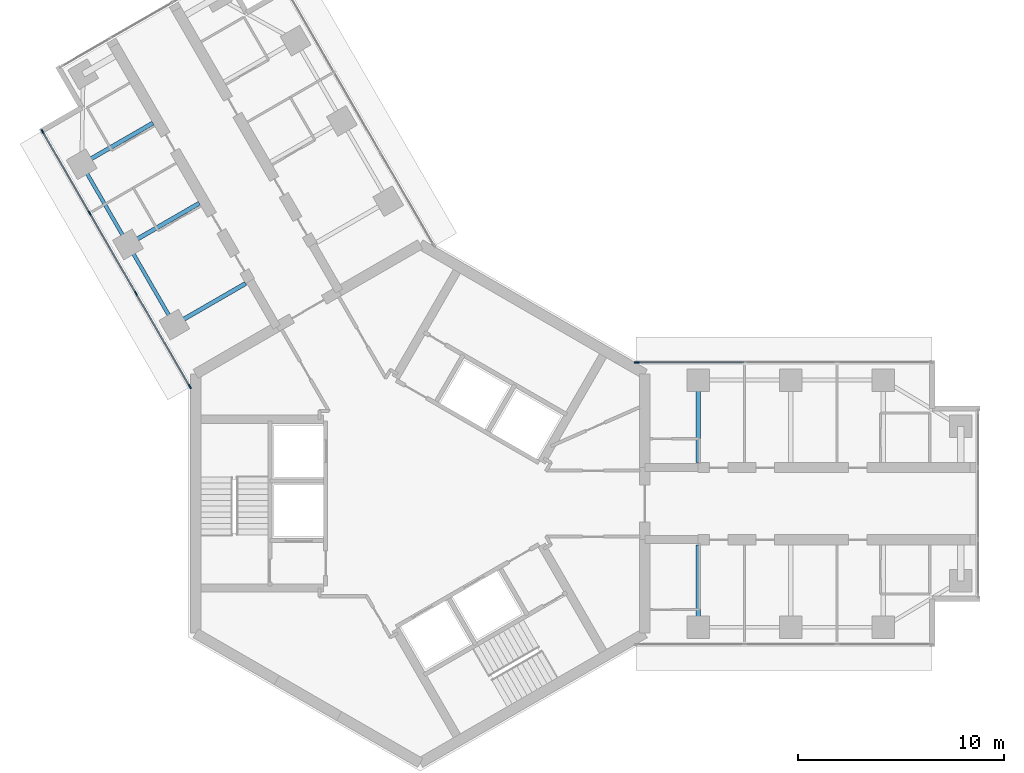
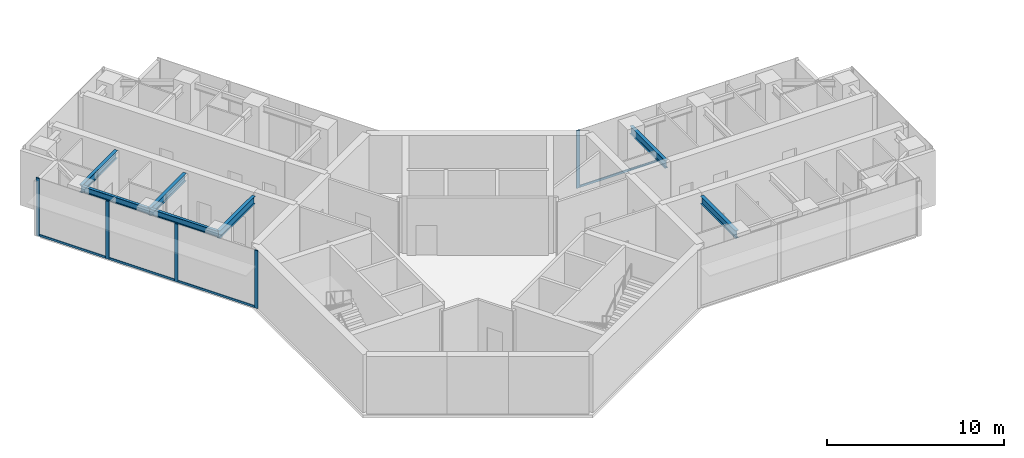
# One storey, part 5 of 18: 9 members, 7 beams, 2 elements without a shape of their own.
"""IFC4 building model written with IfcOpenShell, lengths in metres."""

from ifc_helpers import new_model, si_unit, direction, frame, origin, origin_2d, place, context, subcontext, project, spatial, rectangle, i_section, extrude, material, material_profile, profile_set, type_object, element, aggregate, save


model = new_model("IFC4")

# Units and contexts
model_context = context("Model", 3, precision=1e-05, world=origin(), true_north=direction((0.0, 1.0)))
body_context = subcontext(model_context, "Body", "Model", "MODEL_VIEW")
ifc_project = project(units=[si_unit("LENGTHUNIT", "METRE"), si_unit("AREAUNIT", "SQUARE_METRE"), si_unit("VOLUMEUNIT", "CUBIC_METRE"), si_unit("PLANEANGLEUNIT", "RADIAN"), si_unit("MASSUNIT", "GRAM", prefix="KILO")], contexts=[model_context])

# Site, building, storey
site_placement = place(None, origin())
site = spatial("IfcSite", under=ifc_project, at=site_placement, CompositionType="ELEMENT")
building_placement = place(site_placement, origin())
building = spatial("IfcBuilding", under=site, at=building_placement, Name="Upepo Twin Towers", CompositionType="ELEMENT")
storey_placement = place(building_placement, frame((0.0, 0.0, 226.5)))
storey = spatial("IfcBuildingStorey", under=building, at=storey_placement, Name="L55", CompositionType="ELEMENT", Elevation=226.5)

# Beams
ifc_material_1 = material(Name="Steel S355", Category="steel")
ifc_material_profile_1 = material_profile(ifc_material_1, i_section(OverallWidth=0.177978515625, OverallDepth=0.406494140625, WebThickness=0.0078125, FlangeThickness=0.0126953125, FilletRadius=0.01025390625, at=origin_2d()), Name="UB 406x178x60")
ifc_profile_set_1 = profile_set([ifc_material_profile_1], Name="Steel S355")
beam_type_1 = type_object("IfcBeamType", Name="Beam UB 406x178x60", PredefinedType="BEAM", material=ifc_profile_set_1)
beam_1_placement = place(storey_placement, frame((-11.946044921875, 8.69140625, 3.5966796875), z_axis=(-0.500013631625, 0.866017533419, 0.0), x_axis=(-0.866017533419, -0.500013631625, 0.0)))
element("IfcBeam", 1, at=beam_1_placement, inside=storey, type_object=beam_type_1, Name="T1 edge beam BL 13.5-18.0", PredefinedType="BEAM", context=body_context, shape_type="SweptSolid", body=[
    extrude(i_section(OverallWidth=0.177978515625, OverallDepth=0.406494140625, WebThickness=0.0078125, FlangeThickness=0.0126953125, FilletRadius=0.01025390625, at=origin_2d()), origin(), (0.0, 0.0, 1.0), 4.499755859375),
])
beam_2_placement = place(storey_placement, frame((-14.196044921875, 12.58837890625, 3.5966796875), z_axis=(-0.499990139034, 0.866031096941, 0.0), x_axis=(-0.866031096941, -0.499990139034, 0.0)))
element("IfcBeam", 2, at=beam_2_placement, inside=storey, type_object=beam_type_1, Name="T1 edge beam BL 18.0-22.5", PredefinedType="BEAM", context=body_context, shape_type="SweptSolid", body=[
    extrude(i_section(OverallWidth=0.177978515625, OverallDepth=0.406494140625, WebThickness=0.0078125, FlangeThickness=0.0126953125, FilletRadius=0.01025390625, at=origin_2d()), origin(), (0.0, 0.0, 1.0), 4.5),
])
ifc_material_2 = material(Name="Steel S355", Category="steel")
ifc_material_profile_2 = material_profile(ifc_material_2, i_section(OverallWidth=0.209228515625, OverallDepth=0.533203125, WebThickness=0.010009765625, FlangeThickness=0.015625, FilletRadius=0.0126953125, at=origin_2d()), Name="UB 533x210x92")
ifc_profile_set_2 = profile_set([ifc_material_profile_2], Name="Steel S355")
beam_type_2 = type_object("IfcBeamType", Name="Beam UB 533x210x92", PredefinedType="BEAM", material=ifc_profile_set_2)
for number, where, z_axis, x_axis, name in (
    (3, (13.5, 6.0, 3.533447265625), (0.0, -1.0, 0.0), (1.0, 0.0, 0.0), "T1 girder AL at 13.5"),
    (4, (13.5, -6.0, 3.533447265625), (0.0, 1.0, 0.0), (-1.0, 0.0, 0.0), "T1 girder AR at 13.5"),
    (5, (-11.946044921875, 8.69140625, 3.533447265625), (0.866026010844, 0.49999894854, 0.0), (-0.49999894854, 0.866026010844, 0.0), "T1 girder BL at 13.5"),
    (6, (-14.196044921875, 12.58837890625, 3.533447265625), (0.866026010844, 0.49999894854, 0.0), (-0.49999894854, 0.866026010844, 0.0), "T1 girder BL at 18.0"),
    (7, (-16.446044921875, 16.485595703125, 3.533447265625), (0.866026010844, 0.49999894854, 0.0), (-0.49999894854, 0.866026010844, 0.0), "T1 girder BL at 22.5"),
):
    element("IfcBeam", number, at=place(storey_placement, frame(where, z_axis=z_axis, x_axis=x_axis)), inside=storey, type_object=beam_type_2, Name=name, PredefinedType="BEAM", context=body_context, shape_type="SweptSolid", body=[
        extrude(i_section(OverallWidth=0.209228515625, OverallDepth=0.533203125, WebThickness=0.010009765625, FlangeThickness=0.015625, FilletRadius=0.0126953125, at=origin_2d()), origin(), (0.0, 0.0, 1.0), 4.0),
    ])

# Curtain wall, member
ifc_material_3 = material(Name="Aluminium and fritted glass", Category="aluminium")
curtain_wall_type = type_object("IfcCurtainWallType", Name="Tower curtain wall TW3, fritted glass", PredefinedType="NOTDEFINED", material=ifc_material_3)
curtain_wall_1_placement = place(storey_placement, origin())
curtain_wall_1 = element("IfcCurtainWall", 8, at=curtain_wall_1_placement, inside=storey, type_object=curtain_wall_type, Name="T1 L55 wing A flank L curtain wall", PredefinedType="NOTDEFINED")
ifc_material_4 = material(Name="Aluminium mullion", Category="aluminium")
ifc_material_profile_3 = material_profile(ifc_material_4, rectangle(XDim=0.06494140625, YDim=0.22509765625, at=origin_2d()), Name="MULLION 65x225")
ifc_profile_set_3 = profile_set([ifc_material_profile_3], Name="Aluminium mullion")
member_type_1 = type_object("IfcMemberType", Name="Mullion 65x225 TW3", PredefinedType="MULLION", material=ifc_profile_set_3)
member_1_placement = place(storey_placement, frame((10.51953125, 6.85009765625, 0.0), z_axis=(0.0, 0.0, 1.0), x_axis=(0.0, 1.0, 0.0)))
member_1 = element("IfcMember", 9, at=member_1_placement, type_object=member_type_1, Name="T1 L55 wing A flank L curtain wall mullion 1", PredefinedType="MULLION", context=body_context, shape_type="SweptSolid", body=[
    extrude(rectangle(XDim=0.06494140625, YDim=0.22509765625, at=origin_2d()), origin(), (0.0, 0.0, 1.0), 4.0),
])

# Curtain wall, members
curtain_wall_2_placement = place(storey_placement, origin())
curtain_wall_2 = element("IfcCurtainWall", 10, at=curtain_wall_2_placement, inside=storey, type_object=curtain_wall_type, Name="T1 L55 wing B flank L curtain wall", PredefinedType="NOTDEFINED")
member_2_placement = place(storey_placement, frame((-11.192138671875, 5.685302734375, 0.0), z_axis=(0.0, 0.0, 1.0), x_axis=(-0.866025388469, -0.500000026527, 0.0)))
member_2 = element("IfcMember", 11, at=member_2_placement, type_object=member_type_1, Name="T1 L55 wing B flank L curtain wall mullion 1", PredefinedType="MULLION", context=body_context, shape_type="SweptSolid", body=[
    extrude(rectangle(XDim=0.06494140625, YDim=0.22509765625, at=origin_2d()), origin(), (0.0, 0.0, 1.0), 4.0),
])
member_3_placement = place(storey_placement, frame((-13.807373046875, 10.21484375, 0.0), z_axis=(0.0, 0.0, 1.0), x_axis=(-0.866025388469, -0.500000026527, 0.0)))
member_3 = element("IfcMember", 12, at=member_3_placement, type_object=member_type_1, Name="T1 L55 wing B flank L curtain wall mullion 2", PredefinedType="MULLION", context=body_context, shape_type="SweptSolid", body=[
    extrude(rectangle(XDim=0.06494140625, YDim=0.22509765625, at=origin_2d()), origin(), (0.0, 0.0, 1.0), 4.0),
])
member_4_placement = place(storey_placement, frame((-16.057373046875, 14.112060546875, 0.0), z_axis=(0.0, 0.0, 1.0), x_axis=(-0.866025388469, -0.500000026527, 0.0)))
member_4 = element("IfcMember", 13, at=member_4_placement, type_object=member_type_1, Name="T1 L55 wing B flank L curtain wall mullion 3", PredefinedType="MULLION", context=body_context, shape_type="SweptSolid", body=[
    extrude(rectangle(XDim=0.06494140625, YDim=0.22509765625, at=origin_2d()), origin(), (0.0, 0.0, 1.0), 4.0),
])
member_5_placement = place(storey_placement, frame((-18.341064453125, 18.067626953125, 0.0), z_axis=(0.0, 0.0, 1.0), x_axis=(-0.866025388469, -0.500000026527, 0.0)))
member_5 = element("IfcMember", 14, at=member_5_placement, type_object=member_type_1, Name="T1 L55 wing B flank L curtain wall mullion 4", PredefinedType="MULLION", context=body_context, shape_type="SweptSolid", body=[
    extrude(rectangle(XDim=0.06494140625, YDim=0.22509765625, at=origin_2d()), origin(), (0.0, 0.0, 1.0), 4.0),
])

# Member
ifc_material_5 = material(Name="Aluminium transom", Category="aluminium")
ifc_material_profile_4 = material_profile(ifc_material_5, rectangle(XDim=0.06494140625, YDim=0.14990234375, at=origin_2d()), Name="TRANSOM 65x150")
ifc_profile_set_4 = profile_set([ifc_material_profile_4], Name="Aluminium transom")
member_type_2 = type_object("IfcMemberType", Name="Transom 65x150 TW3", PredefinedType="USERDEFINED", material=ifc_profile_set_4)
member_6_placement = place(storey_placement, frame((10.552001953125, 6.85009765625, 0.074951171875), z_axis=(1.0, 0.0, 0.0), x_axis=(0.0, 1.0, 0.0)))
member_6 = element("IfcMember", 15, at=member_6_placement, type_object=member_type_2, Name="T1 L55 wing A flank L curtain wall transom 1", ObjectType="TRANSOM", PredefinedType="USERDEFINED", context=body_context, shape_type="SweptSolid", body=[
    extrude(rectangle(XDim=0.06494140625, YDim=0.14990234375, at=origin_2d()), origin(), (0.0, 0.0, 1.0), 5.16552734375),
])

aggregate(curtain_wall_1, [member_1, member_6])

member_7_placement = place(storey_placement, frame((-11.208251953125, 5.71337890625, 0.074951171875), z_axis=(-0.500007480159, 0.86602108507, 0.0), x_axis=(-0.86602108507, -0.500007480159, 0.0)))
member_7 = element("IfcMember", 16, at=member_7_placement, type_object=member_type_2, Name="T1 L55 wing B flank L curtain wall transom 1", ObjectType="TRANSOM", PredefinedType="USERDEFINED", context=body_context, shape_type="SweptSolid", body=[
    extrude(rectangle(XDim=0.06494140625, YDim=0.14990234375, at=origin_2d()), origin(), (0.0, 0.0, 1.0), 5.16552734375),
])

member_8_placement = place(storey_placement, frame((-13.823486328125, 10.2431640625, 0.074951171875), z_axis=(-0.500005184116, 0.866022410713, 0.0), x_axis=(-0.866022410713, -0.500005184116, 0.0)))
member_8 = element("IfcMember", 17, at=member_8_placement, type_object=member_type_2, Name="T1 L55 wing B flank L curtain wall transom 2", ObjectType="TRANSOM", PredefinedType="USERDEFINED", context=body_context, shape_type="SweptSolid", body=[
    extrude(rectangle(XDim=0.06494140625, YDim=0.14990234375, at=origin_2d()), origin(), (0.0, 0.0, 1.0), 4.43505859375),
])

member_9_placement = place(storey_placement, frame((-16.073486328125, 14.14013671875, 0.074951171875), z_axis=(-0.499982167615, 0.866035699072, 0.0), x_axis=(-0.866035699072, -0.499982167615, 0.0)))
member_9 = element("IfcMember", 18, at=member_9_placement, type_object=member_type_2, Name="T1 L55 wing B flank L curtain wall transom 3", ObjectType="TRANSOM", PredefinedType="USERDEFINED", context=body_context, shape_type="SweptSolid", body=[
    extrude(rectangle(XDim=0.06494140625, YDim=0.14990234375, at=origin_2d()), origin(), (0.0, 0.0, 1.0), 4.502685546875),
])

aggregate(curtain_wall_2, [member_2, member_3, member_4, member_5, member_7, member_8, member_9])

save(model, "model.ifc")
